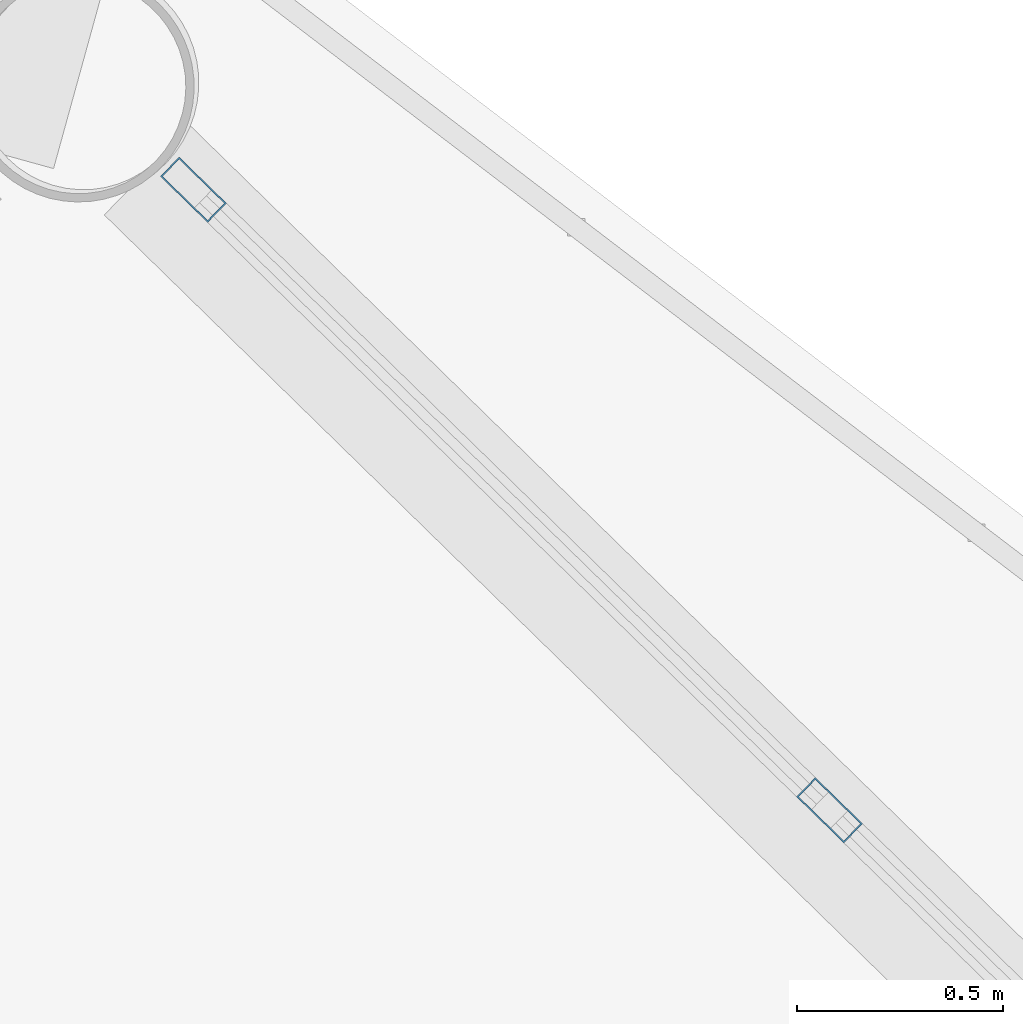
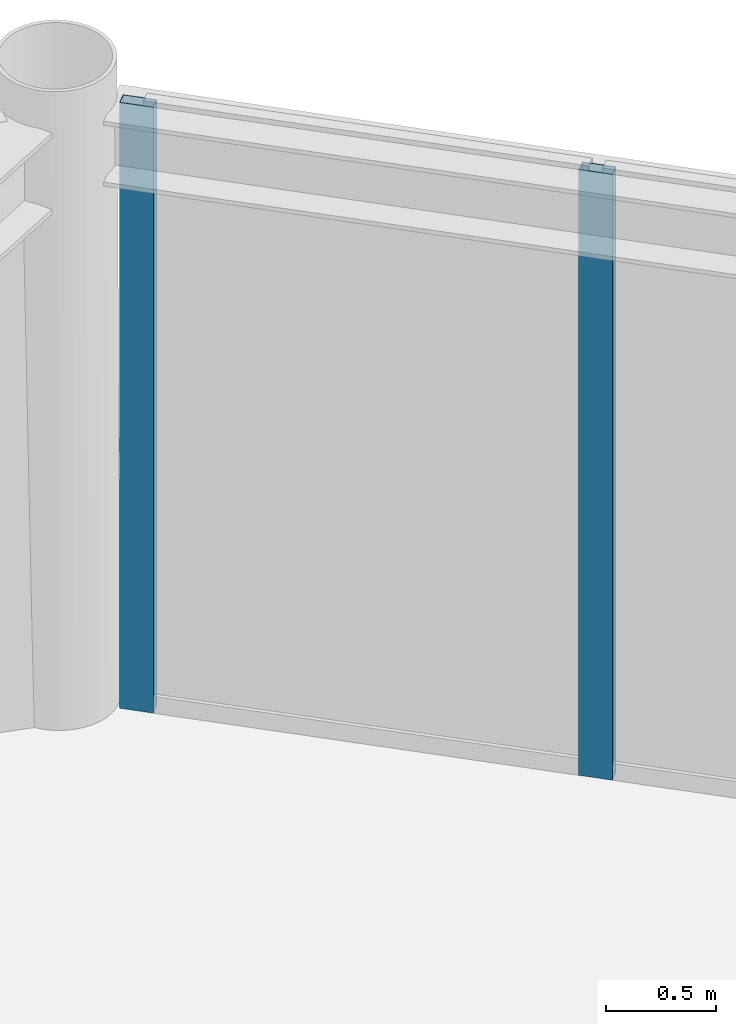
# One storey, part 20 of 27: 2 members, 1 element without a shape of its own.
"""IFC4 building model written with IfcOpenShell, lengths in metres."""

from ifc_helpers import new_model, si_unit, direction, frame, origin, origin_2d, place, context, subcontext, project, spatial, hollow_rectangle, extrude, material, layer, layer_set, material_profile, profile_set, type_object, element, aggregate, save


model = new_model("IFC4")

# Units and contexts
model_context = context("Model", 3, precision=1e-05, world=origin(), true_north=direction((0.0, 1.0)))
body_context = subcontext(model_context, "Body", "Model", "MODEL_VIEW")
ifc_project = project(units=[si_unit("LENGTHUNIT", "METRE"), si_unit("AREAUNIT", "SQUARE_METRE"), si_unit("VOLUMEUNIT", "CUBIC_METRE"), si_unit("PLANEANGLEUNIT", "RADIAN"), si_unit("MASSUNIT", "GRAM", prefix="KILO")], contexts=[model_context])

# Site, building, storey
site_placement = place(None, origin())
site = spatial("IfcSite", under=ifc_project, at=site_placement, CompositionType="ELEMENT")
building_placement = place(site_placement, origin())
building = spatial("IfcBuilding", under=site, at=building_placement, Name="Varnakorn Sky Granary", CompositionType="ELEMENT")
storey_placement = place(building_placement, frame((0.0, 0.0, 245.39990234375)))
storey = spatial("IfcBuildingStorey", under=building, at=storey_placement, Name="L62", CompositionType="ELEMENT", Elevation=245.39990234375)

# Curtain wall, members
ifc_material = material(Name="Anodised Bronze Aluminium Alloy 6063-T6", Category="aluminium")
ifc_layer = layer(ifc_material, 0.159912109375, Name="Anodised Bronze Aluminium Alloy 6063-T6")
ifc_layer_set = layer_set([ifc_layer], Name="Anodised Bronze Aluminium Alloy 6063-T6")
curtain_wall_type = type_object("IfcCurtainWallType", Name="CW-OFF-1", PredefinedType="USERDEFINED", material=ifc_layer_set)
curtain_wall_placement = place(storey_placement, origin())
curtain_wall = element("IfcCurtainWall", 1, at=curtain_wall_placement, inside=storey, type_object=curtain_wall_type, Name="Unitised Curtain Wall CW6 CW-L62-B02", ObjectType="CURTAIN WALL", PredefinedType="USERDEFINED")
ifc_material_profile = material_profile(ifc_material, hollow_rectangle(XDim=0.06494140625, YDim=0.159912109375, WallThickness=0.00341796875, at=origin_2d()), Name="ALU MULL 65x160")
ifc_profile_set = profile_set([ifc_material_profile], Name="Anodised Bronze Aluminium Alloy 6063-T6")
member_type = type_object("IfcMemberType", Name="CW-OFF-1-MULL", PredefinedType="MULLION", material=ifc_profile_set)
member_1_placement = place(storey_placement, frame((14.330322265625, 15.3037109375, 0.0), z_axis=(0.0, 0.0, 1.0), x_axis=(0.698180615076, 0.715921663823, 0.0)))
member_1 = element("IfcMember", 2, at=member_1_placement, type_object=member_type, Name="CW6 mullion 1", PredefinedType="MULLION", context=body_context, shape_type="SweptSolid", body=[
    extrude(hollow_rectangle(XDim=0.06494140625, YDim=0.159912109375, WallThickness=0.00341796875, at=origin_2d()), origin(), (0.0, 0.0, 1.0), 3.360107421875),
])
member_2_placement = place(storey_placement, frame((15.871826171875, 13.80029296875, 0.0), z_axis=(0.0, 0.0, 1.0), x_axis=(0.698180615076, 0.715921663823, 0.0)))
member_2 = element("IfcMember", 3, at=member_2_placement, type_object=member_type, Name="CW6 mullion 2", PredefinedType="MULLION", context=body_context, shape_type="SweptSolid", body=[
    extrude(hollow_rectangle(XDim=0.06494140625, YDim=0.159912109375, WallThickness=0.00341796875, at=origin_2d()), origin(), (0.0, 0.0, 1.0), 3.360107421875),
])
aggregate(curtain_wall, [member_1, member_2])

save(model, "model.ifc")
